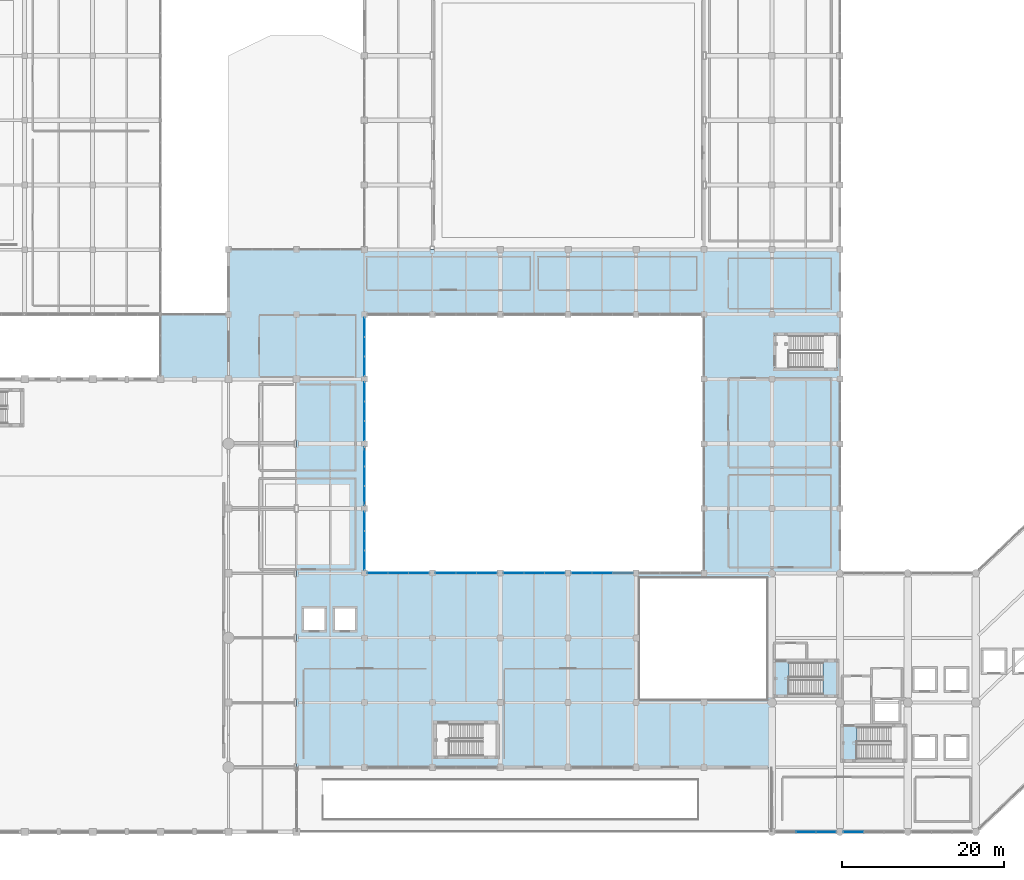
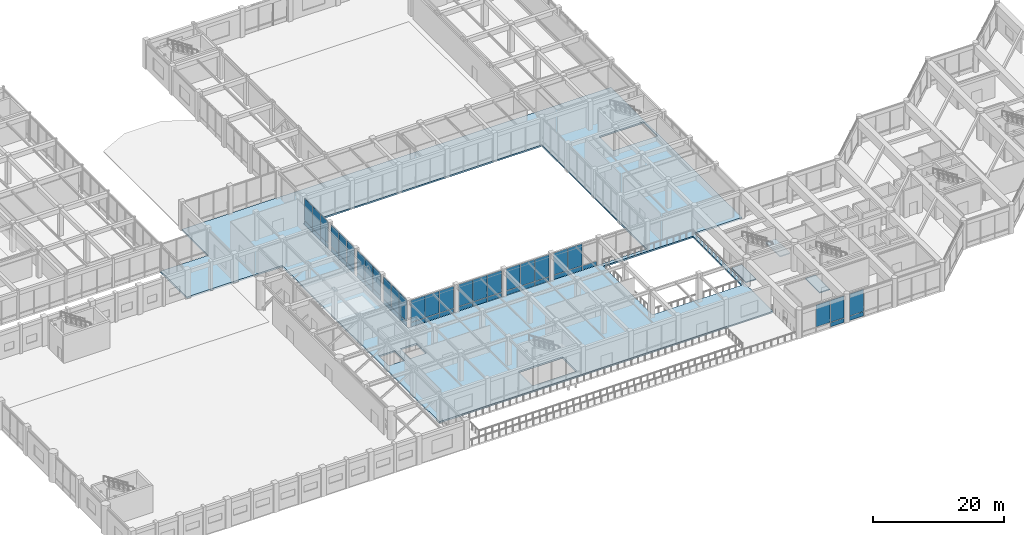
# One storey, part 49 of 79: 52 plates, 4 slabs, 11 elements without a shape of their own.
"""IFC4 building model written with IfcOpenShell, lengths in metres."""

import ifcopenshell
import ifcopenshell.guid

model = None  # the IFC model being written
_history = None  # IfcOwnerHistory: only IFC2X3 demands one
_inside = {}  # id of a spatial element -> (the spatial element, [elements in it])
_under = {}  # id of a project, library or spatial element -> (it, [spatial elements below it])
_declared = {}  # id of a project -> (the project, [libraries it declares])
_typed = {}  # id of a type object -> (the type object, [elements of that type])
_made_of = {}  # id of a material, layer set ... -> (it, [elements and type objects made of it])


def new_model(schema):
    """Start an empty IFC model of exactly this schema.

    Asked for "IFC4X3", IfcOpenShell would pick the latest addendum, in which some entities
    have other attributes; the version numbers below select the first issue.
    IFC2X3 requires an IfcOwnerHistory on every rooted entity: one is made here for all.
    """
    global model, _history
    if schema == "IFC4X3":
        model = ifcopenshell.file(schema_version=(4, 3, 0, 0))
    else:
        model = ifcopenshell.file(schema=schema)
    _inside.clear()
    _under.clear()
    _declared.clear()
    _typed.clear()
    _made_of.clear()
    _history = None
    if model.schema == "IFC2X3":
        org = make("IfcOrganization", Name="unknown")
        user = make(
            "IfcPersonAndOrganization",
            ThePerson=make("IfcPerson", FamilyName="unknown"),
            TheOrganization=org,
        )
        app = make(
            "IfcApplication",
            ApplicationDeveloper=org,
            Version="unknown",
            ApplicationFullName="unknown",
            ApplicationIdentifier="unknown",
        )
        _history = make(
            "IfcOwnerHistory",
            OwningUser=user,
            OwningApplication=app,
            ChangeAction="ADDED",
            CreationDate=0,
        )
    return model


def make(cls, **values):
    """One entity of the class cls with the attributes given. An attribute that is None is left unset."""
    return model.create_entity(
        cls, **{name: value for name, value in values.items() if value is not None}
    )


def rooted(cls, **values):
    """An entity with a GlobalId (a new one), such as an element, a storey or a relation."""
    return make(cls, GlobalId=ifcopenshell.guid.new(), OwnerHistory=_history, **values)


def si_unit(unit_type, name, prefix=None):
    """IfcSIUnit, for example si_unit("LENGTHUNIT", "METRE", prefix="MILLI")."""
    return make("IfcSIUnit", UnitType=unit_type, Prefix=prefix, Name=name)


def assignment(units):
    """IfcUnitAssignment: the units of a project."""
    return None if units is None else make("IfcUnitAssignment", Units=units)


def point(xyz):
    """IfcCartesianPoint."""
    return None if xyz is None else make("IfcCartesianPoint", Coordinates=xyz)


def direction(xyz):
    """IfcDirection."""
    return None if xyz is None else make("IfcDirection", DirectionRatios=xyz)


def frame(location, z_axis=None, x_axis=None):
    """IfcAxis2Placement3D, a coordinate frame: its origin and axes. An axis left out is left unset."""
    return make(
        "IfcAxis2Placement3D",
        Location=point(location),
        Axis=direction(z_axis),
        RefDirection=direction(x_axis),
    )


def frame_2d(location, x_axis=None):
    """IfcAxis2Placement2D, a coordinate frame in the plane: its origin and x axis."""
    return make(
        "IfcAxis2Placement2D", Location=point(location), RefDirection=direction(x_axis)
    )


def origin():
    """The frame at (0, 0, 0) with its axes left unset."""
    return frame((0.0, 0.0, 0.0))


def origin_2d():
    """The frame at (0, 0) in the plane with its x axis left unset."""
    return frame_2d((0.0, 0.0))


def place(relative_to, where):
    """IfcLocalPlacement: puts the frame where relative to a parent placement (None: the world)."""
    return make(
        "IfcLocalPlacement", PlacementRelTo=relative_to, RelativePlacement=where
    )


def context(
    kind, dimensions, precision=None, world=None, true_north=None, identifier=None
):
    """IfcGeometricRepresentationContext, for example the 3D "Model" context."""
    return make(
        "IfcGeometricRepresentationContext",
        ContextIdentifier=identifier,
        ContextType=kind,
        CoordinateSpaceDimension=dimensions,
        Precision=precision,
        WorldCoordinateSystem=world,
        TrueNorth=true_north,
    )


def subcontext(parent, identifier, kind, view, scale=None):
    """IfcGeometricRepresentationSubContext, for example "Body" below "Model"."""
    return make(
        "IfcGeometricRepresentationSubContext",
        ContextIdentifier=identifier,
        ContextType=kind,
        ParentContext=parent,
        TargetScale=scale,
        TargetView=view,
    )


def project(units=None, contexts=None):
    """IfcProject with its units and contexts."""
    return rooted(
        "IfcProject",
        Name="project",
        RepresentationContexts=contexts,
        UnitsInContext=assignment(units),
    )


def spatial(cls, under=None, at=None, **own):
    """A site, building, storey or space (cls), placed at a placement, below another one or the project."""
    s = rooted(cls, ObjectPlacement=at, **own)
    if under is not None:
        _under.setdefault(under.id(), (under, []))[1].append(s)
    return s


def polyline(points):
    """IfcPolyline through the points."""
    return make("IfcPolyline", Points=[point(p) for p in points])


def profile(cls, at=None, kind="AREA", **sizes):
    """A parametric profile (cls). Its sizes go by their IFC names, for example OverallWidth=200.0."""
    return make(cls, ProfileType=kind, Position=at, **sizes)


def rectangle(**sizes):
    """IfcRectangleProfileDef."""
    return profile("IfcRectangleProfileDef", **sizes)


def outline(outer, holes=None, kind="AREA"):
    """IfcArbitraryClosedProfileDef: a profile drawn as a closed curve; with holes, ...WithVoids."""
    if holes is None:
        return make("IfcArbitraryClosedProfileDef", ProfileType=kind, OuterCurve=outer)
    return make(
        "IfcArbitraryProfileDefWithVoids",
        ProfileType=kind,
        OuterCurve=outer,
        InnerCurves=holes,
    )


def extrude(swept, where, along, depth):
    """IfcExtrudedAreaSolid: the profile swept, set in the frame where, extruded along a direction by depth."""
    return make(
        "IfcExtrudedAreaSolid",
        SweptArea=swept,
        Position=where,
        ExtrudedDirection=direction(along),
        Depth=depth,
    )


def shape(context_of_items, identifier, shape_type, items):
    """IfcShapeRepresentation: the items that make up one representation, for example the "Body"."""
    return make(
        "IfcShapeRepresentation",
        ContextOfItems=context_of_items,
        RepresentationIdentifier=identifier,
        RepresentationType=shape_type,
        Items=items,
    )


def material(Name=None, Category=None):
    """IfcMaterial."""
    return make("IfcMaterial", Name=Name, Category=Category)


def layer(
    of_material, thickness, ventilated=None, Name=None, Category=None, Priority=None
):
    """IfcMaterialLayer: one layer of a wall or slab, of a material (None: an air gap)."""
    return make(
        "IfcMaterialLayer",
        Material=of_material,
        LayerThickness=thickness,
        IsVentilated=ventilated,
        Name=Name,
        Category=Category,
        Priority=Priority,
    )


def layer_set(layers, Name=None):
    """IfcMaterialLayerSet."""
    return make("IfcMaterialLayerSet", MaterialLayers=layers, LayerSetName=Name)


def made_of(thing, what):
    """Note that an element or type object is made of a material, layer set ...; save() writes the relation."""
    if what is not None:
        _made_of.setdefault(what.id(), (what, []))[1].append(thing)
    return thing


def type_object(cls, material=None, **own):
    """A type object (cls), such as IfcWallType, which elements share."""
    return made_of(rooted(cls, **own), material)


def element(
    cls,
    number,
    at=None,
    inside=None,
    cuts=None,
    type_object=None,
    material=None,
    context=None,
    identifier="Body",
    shape_type=None,
    held_by="IfcProductDefinitionShape",
    body=None,
    shapes=None,
    **own,
):
    """One element of the class cls, such as IfcWall. Its Tag is "e" and its number.

    at: its placement. inside: the storey or other place that contains it. cuts: it is an
    opening in that element (IfcRelVoidsElement). A single representation is given by context,
    identifier, shape_type and body (its items); several are given by shapes. held_by: the class
    of the entity that holds the representations. save() writes the other relations.
    """
    e = rooted(cls, Tag="e%d" % number, ObjectPlacement=at, **own)
    if body is not None:
        shapes = [shape(context, identifier, shape_type, body)]
    if shapes is not None:
        e.Representation = make(held_by, Representations=shapes)
    if inside is not None:
        _inside.setdefault(inside.id(), (inside, []))[1].append(e)
    if cuts is not None:
        rooted(
            "IfcRelVoidsElement", RelatingBuildingElement=cuts, RelatedOpeningElement=e
        )
    if type_object is not None:
        _typed.setdefault(type_object.id(), (type_object, []))[1].append(e)
    return made_of(e, material)


def aggregate(whole, parts):
    """IfcRelAggregates: a whole, such as a stair, and the parts it consists of."""
    return rooted("IfcRelAggregates", RelatingObject=whole, RelatedObjects=parts)


def save(model, path):
    """Write the relations noted so far, then the file.

    IfcRelAggregates (storeys below a building ...), IfcRelContainedInSpatialStructure (elements
    in a storey), IfcRelDefinesByType, IfcRelAssociatesMaterial and IfcRelDeclares: one each for
    every whole, place, type object, material and project.
    """
    for whole, parts in _under.values():
        aggregate(whole, parts)
    for where, things in _inside.values():
        rooted(
            "IfcRelContainedInSpatialStructure",
            RelatedElements=things,
            RelatingStructure=where,
        )
    for kind, things in _typed.values():
        rooted("IfcRelDefinesByType", RelatedObjects=things, RelatingType=kind)
    for what, things in _made_of.values():
        rooted("IfcRelAssociatesMaterial", RelatedObjects=things, RelatingMaterial=what)
    for by, libraries in _declared.values():
        rooted("IfcRelDeclares", RelatingContext=by, RelatedDefinitions=libraries)
    model.write(path)


model = new_model("IFC4")

# Units and contexts
model_context = context("Model", 3, precision=1e-05, world=origin(), true_north=direction((0.0, 1.0)))
body_context = subcontext(model_context, "Body", "Model", "MODEL_VIEW")
ifc_project = project(units=[si_unit("LENGTHUNIT", "METRE"), si_unit("AREAUNIT", "SQUARE_METRE"), si_unit("VOLUMEUNIT", "CUBIC_METRE"), si_unit("PLANEANGLEUNIT", "RADIAN"), si_unit("MASSUNIT", "GRAM", prefix="KILO")], contexts=[model_context])

# Site, building, storey
site_placement = place(None, origin())
site = spatial("IfcSite", under=ifc_project, at=site_placement, CompositionType="ELEMENT")
building_placement = place(site_placement, origin())
building = spatial("IfcBuilding", under=site, at=building_placement, Name="Naruveol Harbour Congress Hotel", CompositionType="ELEMENT")
storey_placement = place(building_placement, frame((0.0, 0.0, 6.0)))
storey = spatial("IfcBuildingStorey", under=building, at=storey_placement, Name="L01", CompositionType="ELEMENT", Elevation=6.0)

# Curtain wall, plates
ifc_material_1 = material(Name="Low-E Curtain Wall System", Category="glass")
ifc_layer_1 = layer(ifc_material_1, 0.179931640625)
ifc_layer_set_1 = layer_set([ifc_layer_1], Name="Low-E Curtain Wall System")
curtain_wall_type_1 = type_object("IfcCurtainWallType", Name="UNITISED CURTAIN WALL CW-CTS-35 7650X5100", PredefinedType="USERDEFINED", material=ifc_layer_set_1)
curtain_wall_1_placement = place(storey_placement, origin())
curtain_wall_1 = element("IfcCurtainWall", 1, at=curtain_wall_1_placement, inside=storey, type_object=curtain_wall_type_1, Name="Unitised curtain wall CW-CTS-35 L01", ObjectType="UNITISED GLAZING", PredefinedType="USERDEFINED")
ifc_material_2 = material(Name="Anodised Aluminium Spandrel", Category="aluminium")
ifc_layer_2 = layer(ifc_material_2, 0.054931640625)
ifc_layer_set_2 = layer_set([ifc_layer_2], Name="Anodised Aluminium Spandrel")
plate_type_1 = type_object("IfcPlateType", Name="INSULATED CERAMIC SPANDREL PANEL 55", PredefinedType="CURTAIN_PANEL", material=ifc_layer_set_2)
plate_1_placement = place(storey_placement, frame((68.85009765625, 32.010009765625, 0.0400390625), z_axis=(0.0, 0.0, 1.0), x_axis=(1.0, 0.0, 0.0)))
plate_1 = element("IfcPlate", 2, at=plate_1_placement, type_object=plate_type_1, Name="Curtain wall spandrel panel CW-L01-0079-PS0", PredefinedType="CURTAIN_PANEL", context=body_context, shape_type="SweptSolid", body=[
    extrude(rectangle(XDim=2.469970703125, YDim=0.054931640625, at=origin_2d()), origin(), (0.0, 0.0, 1.0), 0.77001953125),
])
plate_2_placement = place(storey_placement, frame((71.39990234375, 32.010009765625, 0.0400390625), z_axis=(0.0, 0.0, 1.0), x_axis=(1.0, 0.0, 0.0)))
plate_2 = element("IfcPlate", 3, at=plate_2_placement, type_object=plate_type_1, Name="Curtain wall spandrel panel CW-L01-0079-PS1", PredefinedType="CURTAIN_PANEL", context=body_context, shape_type="SweptSolid", body=[
    extrude(rectangle(XDim=2.469970703125, YDim=0.054931640625, at=origin_2d()), origin(), (0.0, 0.0, 1.0), 0.77001953125),
])
plate_3_placement = place(storey_placement, frame((73.949951171875, 32.010009765625, 0.0400390625), z_axis=(0.0, 0.0, 1.0), x_axis=(1.0, 0.0, 0.0)))
plate_3 = element("IfcPlate", 4, at=plate_3_placement, type_object=plate_type_1, Name="Curtain wall spandrel panel CW-L01-0079-PS2", PredefinedType="CURTAIN_PANEL", context=body_context, shape_type="SweptSolid", body=[
    extrude(rectangle(XDim=2.469970703125, YDim=0.054931640625, at=origin_2d()), origin(), (0.0, 0.0, 1.0), 0.77001953125),
])

curtain_wall_2_placement = place(storey_placement, origin())
curtain_wall_2 = element("IfcCurtainWall", 5, at=curtain_wall_2_placement, inside=storey, type_object=curtain_wall_type_1, Name="Unitised curtain wall CW-CTS-35 L01", ObjectType="UNITISED GLAZING", PredefinedType="USERDEFINED")
plate_4_placement = place(storey_placement, frame((77.25, 32.010009765625, 0.0400390625), z_axis=(0.0, 0.0, 1.0), x_axis=(1.0, 0.0, 0.0)))
plate_4 = element("IfcPlate", 6, at=plate_4_placement, type_object=plate_type_1, Name="Curtain wall spandrel panel CW-L01-0081-PS0", PredefinedType="CURTAIN_PANEL", context=body_context, shape_type="SweptSolid", body=[
    extrude(rectangle(XDim=2.469970703125, YDim=0.054931640625, at=origin_2d()), origin(), (0.0, 0.0, 1.0), 0.77001953125),
])
plate_5_placement = place(storey_placement, frame((79.800048828125, 32.010009765625, 0.0400390625), z_axis=(0.0, 0.0, 1.0), x_axis=(1.0, 0.0, 0.0)))
plate_5 = element("IfcPlate", 7, at=plate_5_placement, type_object=plate_type_1, Name="Curtain wall spandrel panel CW-L01-0081-PS1", PredefinedType="CURTAIN_PANEL", context=body_context, shape_type="SweptSolid", body=[
    extrude(rectangle(XDim=2.469970703125, YDim=0.054931640625, at=origin_2d()), origin(), (0.0, 0.0, 1.0), 0.77001953125),
])
plate_6_placement = place(storey_placement, frame((82.35009765625, 32.010009765625, 0.0400390625), z_axis=(0.0, 0.0, 1.0), x_axis=(1.0, 0.0, 0.0)))
plate_6 = element("IfcPlate", 8, at=plate_6_placement, type_object=plate_type_1, Name="Curtain wall spandrel panel CW-L01-0081-PS2", PredefinedType="CURTAIN_PANEL", context=body_context, shape_type="SweptSolid", body=[
    extrude(rectangle(XDim=2.469970703125, YDim=0.054931640625, at=origin_2d()), origin(), (0.0, 0.0, 1.0), 0.77001953125),
])

curtain_wall_3_placement = place(storey_placement, origin())
curtain_wall_3 = element("IfcCurtainWall", 9, at=curtain_wall_3_placement, inside=storey, type_object=curtain_wall_type_1, Name="Unitised curtain wall CW-CTS-35 L01", ObjectType="UNITISED GLAZING", PredefinedType="USERDEFINED")
plate_7_placement = place(storey_placement, frame((85.64990234375, 32.010009765625, 0.0400390625), z_axis=(0.0, 0.0, 1.0), x_axis=(1.0, 0.0, 0.0)))
plate_7 = element("IfcPlate", 10, at=plate_7_placement, type_object=plate_type_1, Name="Curtain wall spandrel panel CW-L01-0083-PS0", PredefinedType="CURTAIN_PANEL", context=body_context, shape_type="SweptSolid", body=[
    extrude(rectangle(XDim=2.469970703125, YDim=0.054931640625, at=origin_2d()), origin(), (0.0, 0.0, 1.0), 0.77001953125),
])
plate_8_placement = place(storey_placement, frame((88.199951171875, 32.010009765625, 0.0400390625), z_axis=(0.0, 0.0, 1.0), x_axis=(1.0, 0.0, 0.0)))
plate_8 = element("IfcPlate", 11, at=plate_8_placement, type_object=plate_type_1, Name="Curtain wall spandrel panel CW-L01-0083-PS1", PredefinedType="CURTAIN_PANEL", context=body_context, shape_type="SweptSolid", body=[
    extrude(rectangle(XDim=2.469970703125, YDim=0.054931640625, at=origin_2d()), origin(), (0.0, 0.0, 1.0), 0.77001953125),
])
plate_9_placement = place(storey_placement, frame((90.75, 32.010009765625, 0.0400390625), z_axis=(0.0, 0.0, 1.0), x_axis=(1.0, 0.0, 0.0)))
plate_9 = element("IfcPlate", 12, at=plate_9_placement, type_object=plate_type_1, Name="Curtain wall spandrel panel CW-L01-0083-PS2", PredefinedType="CURTAIN_PANEL", context=body_context, shape_type="SweptSolid", body=[
    extrude(rectangle(XDim=2.469970703125, YDim=0.054931640625, at=origin_2d()), origin(), (0.0, 0.0, 1.0), 0.77001953125),
])

curtain_wall_4_placement = place(storey_placement, origin())
curtain_wall_4 = element("IfcCurtainWall", 13, at=curtain_wall_4_placement, inside=storey, type_object=curtain_wall_type_1, Name="Unitised curtain wall CW-CTS-35 L01", ObjectType="UNITISED GLAZING", PredefinedType="USERDEFINED")
plate_10_placement = place(storey_placement, frame((94.050048828125, 32.010009765625, 0.0400390625), z_axis=(0.0, 0.0, 1.0), x_axis=(1.0, 0.0, 0.0)))
plate_10 = element("IfcPlate", 14, at=plate_10_placement, type_object=plate_type_1, Name="Curtain wall spandrel panel CW-L01-0085-PS0", PredefinedType="CURTAIN_PANEL", context=body_context, shape_type="SweptSolid", body=[
    extrude(rectangle(XDim=2.469970703125, YDim=0.054931640625, at=origin_2d()), origin(), (0.0, 0.0, 1.0), 0.77001953125),
])
plate_11_placement = place(storey_placement, frame((96.60009765625, 32.010009765625, 0.0400390625), z_axis=(0.0, 0.0, 1.0), x_axis=(1.0, 0.0, 0.0)))
plate_11 = element("IfcPlate", 15, at=plate_11_placement, type_object=plate_type_1, Name="Curtain wall spandrel panel CW-L01-0085-PS1", PredefinedType="CURTAIN_PANEL", context=body_context, shape_type="SweptSolid", body=[
    extrude(rectangle(XDim=2.469970703125, YDim=0.054931640625, at=origin_2d()), origin(), (0.0, 0.0, 1.0), 0.77001953125),
])
plate_12_placement = place(storey_placement, frame((99.14990234375, 32.010009765625, 0.0400390625), z_axis=(0.0, 0.0, 1.0), x_axis=(1.0, 0.0, 0.0)))
plate_12 = element("IfcPlate", 16, at=plate_12_placement, type_object=plate_type_1, Name="Curtain wall spandrel panel CW-L01-0085-PS2", PredefinedType="CURTAIN_PANEL", context=body_context, shape_type="SweptSolid", body=[
    extrude(rectangle(XDim=2.469970703125, YDim=0.054931640625, at=origin_2d()), origin(), (0.0, 0.0, 1.0), 0.77001953125),
])

ifc_material_3 = material(Name="Low-E Curtain Wall System", Category="glass")
ifc_layer_3 = layer(ifc_material_3, 0.179931640625)
ifc_layer_set_3 = layer_set([ifc_layer_3], Name="Low-E Curtain Wall System")
curtain_wall_type_2 = type_object("IfcCurtainWallType", Name="UNITISED CURTAIN WALL CW-CTW-36 7250X5100", PredefinedType="USERDEFINED", material=ifc_layer_set_3)
curtain_wall_5_placement = place(storey_placement, origin())
curtain_wall_5 = element("IfcCurtainWall", 17, at=curtain_wall_5_placement, inside=storey, type_object=curtain_wall_type_2, Name="Unitised curtain wall CW-CTW-36 L01", ObjectType="UNITISED GLAZING", PredefinedType="USERDEFINED")
plate_13_placement = place(storey_placement, frame((67.18994140625, 33.583251953125, 0.0400390625), z_axis=(0.0, 0.0, 1.0), x_axis=(0.0, 1.0, 0.0)))
plate_13 = element("IfcPlate", 18, at=plate_13_placement, type_object=plate_type_1, Name="Curtain wall spandrel panel CW-L01-0088-PS0", PredefinedType="CURTAIN_PANEL", context=body_context, shape_type="SweptSolid", body=[
    extrude(rectangle(XDim=2.3369140625, YDim=0.054931640625, at=origin_2d()), origin(), (0.0, 0.0, 1.0), 0.77001953125),
])
plate_14_placement = place(storey_placement, frame((67.18994140625, 36.0, 0.0400390625), z_axis=(0.0, 0.0, 1.0), x_axis=(0.0, 1.0, 0.0)))
plate_14 = element("IfcPlate", 19, at=plate_14_placement, type_object=plate_type_1, Name="Curtain wall spandrel panel CW-L01-0088-PS1", PredefinedType="CURTAIN_PANEL", context=body_context, shape_type="SweptSolid", body=[
    extrude(rectangle(XDim=2.3369140625, YDim=0.054931640625, at=origin_2d()), origin(), (0.0, 0.0, 1.0), 0.77001953125),
])
plate_15_placement = place(storey_placement, frame((67.18994140625, 38.416748046875, 0.0400390625), z_axis=(0.0, 0.0, 1.0), x_axis=(0.0, 1.0, 0.0)))
plate_15 = element("IfcPlate", 20, at=plate_15_placement, type_object=plate_type_1, Name="Curtain wall spandrel panel CW-L01-0088-PS2", PredefinedType="CURTAIN_PANEL", context=body_context, shape_type="SweptSolid", body=[
    extrude(rectangle(XDim=2.3369140625, YDim=0.054931640625, at=origin_2d()), origin(), (0.0, 0.0, 1.0), 0.77001953125),
])

curtain_wall_6_placement = place(storey_placement, origin())
curtain_wall_6 = element("IfcCurtainWall", 21, at=curtain_wall_6_placement, inside=storey, type_object=curtain_wall_type_2, Name="Unitised curtain wall CW-CTW-36 L01", ObjectType="UNITISED GLAZING", PredefinedType="USERDEFINED")
plate_16_placement = place(storey_placement, frame((67.18994140625, 41.583251953125, 0.0400390625), z_axis=(0.0, 0.0, 1.0), x_axis=(0.0, 1.0, 0.0)))
plate_16 = element("IfcPlate", 22, at=plate_16_placement, type_object=plate_type_1, Name="Curtain wall spandrel panel CW-L01-0090-PS0", PredefinedType="CURTAIN_PANEL", context=body_context, shape_type="SweptSolid", body=[
    extrude(rectangle(XDim=2.3369140625, YDim=0.054931640625, at=origin_2d()), origin(), (0.0, 0.0, 1.0), 0.77001953125),
])
plate_17_placement = place(storey_placement, frame((67.18994140625, 44.0, 0.0400390625), z_axis=(0.0, 0.0, 1.0), x_axis=(0.0, 1.0, 0.0)))
plate_17 = element("IfcPlate", 23, at=plate_17_placement, type_object=plate_type_1, Name="Curtain wall spandrel panel CW-L01-0090-PS1", PredefinedType="CURTAIN_PANEL", context=body_context, shape_type="SweptSolid", body=[
    extrude(rectangle(XDim=2.3369140625, YDim=0.054931640625, at=origin_2d()), origin(), (0.0, 0.0, 1.0), 0.77001953125),
])
plate_18_placement = place(storey_placement, frame((67.18994140625, 46.416748046875, 0.0400390625), z_axis=(0.0, 0.0, 1.0), x_axis=(0.0, 1.0, 0.0)))
plate_18 = element("IfcPlate", 24, at=plate_18_placement, type_object=plate_type_1, Name="Curtain wall spandrel panel CW-L01-0090-PS2", PredefinedType="CURTAIN_PANEL", context=body_context, shape_type="SweptSolid", body=[
    extrude(rectangle(XDim=2.3369140625, YDim=0.054931640625, at=origin_2d()), origin(), (0.0, 0.0, 1.0), 0.77001953125),
])

curtain_wall_7_placement = place(storey_placement, origin())
curtain_wall_7 = element("IfcCurtainWall", 25, at=curtain_wall_7_placement, inside=storey, type_object=curtain_wall_type_2, Name="Unitised curtain wall CW-CTW-36 L01", ObjectType="UNITISED GLAZING", PredefinedType="USERDEFINED")
plate_19_placement = place(storey_placement, frame((67.18994140625, 49.583251953125, 0.0400390625), z_axis=(0.0, 0.0, 1.0), x_axis=(0.0, 1.0, 0.0)))
plate_19 = element("IfcPlate", 26, at=plate_19_placement, type_object=plate_type_1, Name="Curtain wall spandrel panel CW-L01-0092-PS0", PredefinedType="CURTAIN_PANEL", context=body_context, shape_type="SweptSolid", body=[
    extrude(rectangle(XDim=2.3369140625, YDim=0.054931640625, at=origin_2d()), origin(), (0.0, 0.0, 1.0), 0.77001953125),
])
plate_20_placement = place(storey_placement, frame((67.18994140625, 52.0, 0.0400390625), z_axis=(0.0, 0.0, 1.0), x_axis=(0.0, 1.0, 0.0)))
plate_20 = element("IfcPlate", 27, at=plate_20_placement, type_object=plate_type_1, Name="Curtain wall spandrel panel CW-L01-0092-PS1", PredefinedType="CURTAIN_PANEL", context=body_context, shape_type="SweptSolid", body=[
    extrude(rectangle(XDim=2.3369140625, YDim=0.054931640625, at=origin_2d()), origin(), (0.0, 0.0, 1.0), 0.77001953125),
])
plate_21_placement = place(storey_placement, frame((67.18994140625, 54.416748046875, 0.0400390625), z_axis=(0.0, 0.0, 1.0), x_axis=(0.0, 1.0, 0.0)))
plate_21 = element("IfcPlate", 28, at=plate_21_placement, type_object=plate_type_1, Name="Curtain wall spandrel panel CW-L01-0092-PS2", PredefinedType="CURTAIN_PANEL", context=body_context, shape_type="SweptSolid", body=[
    extrude(rectangle(XDim=2.3369140625, YDim=0.054931640625, at=origin_2d()), origin(), (0.0, 0.0, 1.0), 0.77001953125),
])

curtain_wall_8_placement = place(storey_placement, origin())
curtain_wall_8 = element("IfcCurtainWall", 29, at=curtain_wall_8_placement, inside=storey, type_object=curtain_wall_type_2, Name="Unitised curtain wall CW-CTW-36 L01", ObjectType="UNITISED GLAZING", PredefinedType="USERDEFINED")
plate_22_placement = place(storey_placement, frame((67.18994140625, 57.583251953125, 0.0400390625), z_axis=(0.0, 0.0, 1.0), x_axis=(0.0, 1.0, 0.0)))
plate_22 = element("IfcPlate", 30, at=plate_22_placement, type_object=plate_type_1, Name="Curtain wall spandrel panel CW-L01-0094-PS0", PredefinedType="CURTAIN_PANEL", context=body_context, shape_type="SweptSolid", body=[
    extrude(rectangle(XDim=2.3369140625, YDim=0.054931640625, at=origin_2d()), origin(), (0.0, 0.0, 1.0), 0.77001953125),
])
plate_23_placement = place(storey_placement, frame((67.18994140625, 60.0, 0.0400390625), z_axis=(0.0, 0.0, 1.0), x_axis=(0.0, 1.0, 0.0)))
plate_23 = element("IfcPlate", 31, at=plate_23_placement, type_object=plate_type_1, Name="Curtain wall spandrel panel CW-L01-0094-PS1", PredefinedType="CURTAIN_PANEL", context=body_context, shape_type="SweptSolid", body=[
    extrude(rectangle(XDim=2.3369140625, YDim=0.054931640625, at=origin_2d()), origin(), (0.0, 0.0, 1.0), 0.77001953125),
])
plate_24_placement = place(storey_placement, frame((67.18994140625, 62.416748046875, 0.0400390625), z_axis=(0.0, 0.0, 1.0), x_axis=(0.0, 1.0, 0.0)))
plate_24 = element("IfcPlate", 32, at=plate_24_placement, type_object=plate_type_1, Name="Curtain wall spandrel panel CW-L01-0094-PS2", PredefinedType="CURTAIN_PANEL", context=body_context, shape_type="SweptSolid", body=[
    extrude(rectangle(XDim=2.3369140625, YDim=0.054931640625, at=origin_2d()), origin(), (0.0, 0.0, 1.0), 0.77001953125),
])

# Curtain wall, plate
ifc_material_4 = material(Name="Low-E Curtain Wall System", Category="glass")
ifc_layer_4 = layer(ifc_material_4, 0.179931640625)
ifc_layer_set_4 = layer_set([ifc_layer_4], Name="Low-E Curtain Wall System")
curtain_wall_type_3 = type_object("IfcCurtainWallType", Name="UNITISED CURTAIN WALL CW-V5S-50 7500X5120", PredefinedType="USERDEFINED", material=ifc_layer_set_4)
curtain_wall_9_placement = place(storey_placement, origin())
curtain_wall_9 = element("IfcCurtainWall", 33, at=curtain_wall_9_placement, inside=storey, type_object=curtain_wall_type_3, Name="Unitised curtain wall CW-V5S-50 L01", ObjectType="UNITISED GLAZING", PredefinedType="USERDEFINED")
plate_25_placement = place(storey_placement, frame((124.300048828125, -0.010009765625, 0.0400390625), z_axis=(0.0, 0.0, 1.0), x_axis=(-1.0, 0.0, 0.0)))
plate_25 = element("IfcPlate", 34, at=plate_25_placement, type_object=plate_type_1, Name="Curtain wall spandrel panel CW-L01-0136-PS0", PredefinedType="CURTAIN_PANEL", context=body_context, shape_type="SweptSolid", body=[
    extrude(rectangle(XDim=2.419921875, YDim=0.054931640625, at=origin_2d()), origin(), (0.0, 0.0, 1.0), 0.77001953125),
])

curtain_wall_10_placement = place(storey_placement, origin())
curtain_wall_10 = element("IfcCurtainWall", 35, at=curtain_wall_10_placement, inside=storey, type_object=curtain_wall_type_3, Name="Unitised curtain wall CW-V5S-50 L01", ObjectType="UNITISED GLAZING", PredefinedType="USERDEFINED")
plate_26_placement = place(storey_placement, frame((127.699951171875, -0.010009765625, 0.0400390625), z_axis=(0.0, 0.0, 1.0), x_axis=(-1.0, 0.0, 0.0)))
plate_26 = element("IfcPlate", 36, at=plate_26_placement, type_object=plate_type_1, Name="Curtain wall spandrel panel CW-L01-0137-PS2", PredefinedType="CURTAIN_PANEL", context=body_context, shape_type="SweptSolid", body=[
    extrude(rectangle(XDim=2.419921875, YDim=0.054931640625, at=origin_2d()), origin(), (0.0, 0.0, 1.0), 0.77001953125),
])

# Plate
ifc_material_5 = material(Name="Low-E Insulated Glass", Category="glass")
ifc_layer_5 = layer(ifc_material_5, 0.0419921875)
ifc_layer_set_5 = layer_set([ifc_layer_5], Name="Low-E Insulated Glass")
plate_type_2 = type_object("IfcPlateType", Name="LOW-E TRIPLE GLAZED CURTAIN PANEL 42", PredefinedType="CURTAIN_PANEL", material=ifc_layer_set_5)
plate_27_placement = place(storey_placement, frame((68.85009765625, 32.010009765625, 0.89013671875), z_axis=(0.0, 0.0, 1.0), x_axis=(1.0, 0.0, 0.0)))
plate_27 = element("IfcPlate", 37, at=plate_27_placement, type_object=plate_type_2, Name="Curtain wall vision panel CW-L01-0079-PG0", PredefinedType="CURTAIN_PANEL", context=body_context, shape_type="SweptSolid", body=[
    extrude(rectangle(XDim=2.469970703125, YDim=0.0419921875, at=origin_2d()), origin(), (0.0, 0.0, 1.0), 4.090087890625),
])

plate_28_placement = place(storey_placement, frame((71.39990234375, 32.010009765625, 0.89013671875), z_axis=(0.0, 0.0, 1.0), x_axis=(1.0, 0.0, 0.0)))
plate_28 = element("IfcPlate", 38, at=plate_28_placement, type_object=plate_type_2, Name="Curtain wall vision panel CW-L01-0079-PG1", PredefinedType="CURTAIN_PANEL", context=body_context, shape_type="SweptSolid", body=[
    extrude(rectangle(XDim=2.469970703125, YDim=0.0419921875, at=origin_2d()), origin(), (0.0, 0.0, 1.0), 4.090087890625),
])

plate_29_placement = place(storey_placement, frame((73.949951171875, 32.010009765625, 0.89013671875), z_axis=(0.0, 0.0, 1.0), x_axis=(1.0, 0.0, 0.0)))
plate_29 = element("IfcPlate", 39, at=plate_29_placement, type_object=plate_type_2, Name="Curtain wall vision panel CW-L01-0079-PG2", PredefinedType="CURTAIN_PANEL", context=body_context, shape_type="SweptSolid", body=[
    extrude(rectangle(XDim=2.469970703125, YDim=0.0419921875, at=origin_2d()), origin(), (0.0, 0.0, 1.0), 4.090087890625),
])

aggregate(curtain_wall_1, [plate_1, plate_27, plate_2, plate_28, plate_3, plate_29])

plate_30_placement = place(storey_placement, frame((77.25, 32.010009765625, 0.89013671875), z_axis=(0.0, 0.0, 1.0), x_axis=(1.0, 0.0, 0.0)))
plate_30 = element("IfcPlate", 40, at=plate_30_placement, type_object=plate_type_2, Name="Curtain wall vision panel CW-L01-0081-PG0", PredefinedType="CURTAIN_PANEL", context=body_context, shape_type="SweptSolid", body=[
    extrude(rectangle(XDim=2.469970703125, YDim=0.0419921875, at=origin_2d()), origin(), (0.0, 0.0, 1.0), 4.090087890625),
])

plate_31_placement = place(storey_placement, frame((79.800048828125, 32.010009765625, 0.89013671875), z_axis=(0.0, 0.0, 1.0), x_axis=(1.0, 0.0, 0.0)))
plate_31 = element("IfcPlate", 41, at=plate_31_placement, type_object=plate_type_2, Name="Curtain wall vision panel CW-L01-0081-PG1", PredefinedType="CURTAIN_PANEL", context=body_context, shape_type="SweptSolid", body=[
    extrude(rectangle(XDim=2.469970703125, YDim=0.0419921875, at=origin_2d()), origin(), (0.0, 0.0, 1.0), 4.090087890625),
])

plate_32_placement = place(storey_placement, frame((82.35009765625, 32.010009765625, 0.89013671875), z_axis=(0.0, 0.0, 1.0), x_axis=(1.0, 0.0, 0.0)))
plate_32 = element("IfcPlate", 42, at=plate_32_placement, type_object=plate_type_2, Name="Curtain wall vision panel CW-L01-0081-PG2", PredefinedType="CURTAIN_PANEL", context=body_context, shape_type="SweptSolid", body=[
    extrude(rectangle(XDim=2.469970703125, YDim=0.0419921875, at=origin_2d()), origin(), (0.0, 0.0, 1.0), 4.090087890625),
])

aggregate(curtain_wall_2, [plate_4, plate_30, plate_5, plate_31, plate_6, plate_32])

plate_33_placement = place(storey_placement, frame((85.64990234375, 32.010009765625, 0.89013671875), z_axis=(0.0, 0.0, 1.0), x_axis=(1.0, 0.0, 0.0)))
plate_33 = element("IfcPlate", 43, at=plate_33_placement, type_object=plate_type_2, Name="Curtain wall vision panel CW-L01-0083-PG0", PredefinedType="CURTAIN_PANEL", context=body_context, shape_type="SweptSolid", body=[
    extrude(rectangle(XDim=2.469970703125, YDim=0.0419921875, at=origin_2d()), origin(), (0.0, 0.0, 1.0), 4.090087890625),
])

plate_34_placement = place(storey_placement, frame((88.199951171875, 32.010009765625, 0.89013671875), z_axis=(0.0, 0.0, 1.0), x_axis=(1.0, 0.0, 0.0)))
plate_34 = element("IfcPlate", 44, at=plate_34_placement, type_object=plate_type_2, Name="Curtain wall vision panel CW-L01-0083-PG1", PredefinedType="CURTAIN_PANEL", context=body_context, shape_type="SweptSolid", body=[
    extrude(rectangle(XDim=2.469970703125, YDim=0.0419921875, at=origin_2d()), origin(), (0.0, 0.0, 1.0), 4.090087890625),
])

plate_35_placement = place(storey_placement, frame((90.75, 32.010009765625, 0.89013671875), z_axis=(0.0, 0.0, 1.0), x_axis=(1.0, 0.0, 0.0)))
plate_35 = element("IfcPlate", 45, at=plate_35_placement, type_object=plate_type_2, Name="Curtain wall vision panel CW-L01-0083-PG2", PredefinedType="CURTAIN_PANEL", context=body_context, shape_type="SweptSolid", body=[
    extrude(rectangle(XDim=2.469970703125, YDim=0.0419921875, at=origin_2d()), origin(), (0.0, 0.0, 1.0), 4.090087890625),
])

aggregate(curtain_wall_3, [plate_7, plate_33, plate_8, plate_34, plate_9, plate_35])

plate_36_placement = place(storey_placement, frame((94.050048828125, 32.010009765625, 0.89013671875), z_axis=(0.0, 0.0, 1.0), x_axis=(1.0, 0.0, 0.0)))
plate_36 = element("IfcPlate", 46, at=plate_36_placement, type_object=plate_type_2, Name="Curtain wall vision panel CW-L01-0085-PG0", PredefinedType="CURTAIN_PANEL", context=body_context, shape_type="SweptSolid", body=[
    extrude(rectangle(XDim=2.469970703125, YDim=0.0419921875, at=origin_2d()), origin(), (0.0, 0.0, 1.0), 4.090087890625),
])

plate_37_placement = place(storey_placement, frame((96.60009765625, 32.010009765625, 0.89013671875), z_axis=(0.0, 0.0, 1.0), x_axis=(1.0, 0.0, 0.0)))
plate_37 = element("IfcPlate", 47, at=plate_37_placement, type_object=plate_type_2, Name="Curtain wall vision panel CW-L01-0085-PG1", PredefinedType="CURTAIN_PANEL", context=body_context, shape_type="SweptSolid", body=[
    extrude(rectangle(XDim=2.469970703125, YDim=0.0419921875, at=origin_2d()), origin(), (0.0, 0.0, 1.0), 4.090087890625),
])

aggregate(curtain_wall_4, [plate_10, plate_36, plate_11, plate_37, plate_12])

plate_38_placement = place(storey_placement, frame((67.18994140625, 33.583251953125, 0.89013671875), z_axis=(0.0, 0.0, 1.0), x_axis=(0.0, 1.0, 0.0)))
plate_38 = element("IfcPlate", 48, at=plate_38_placement, type_object=plate_type_2, Name="Curtain wall vision panel CW-L01-0088-PG0", PredefinedType="CURTAIN_PANEL", context=body_context, shape_type="SweptSolid", body=[
    extrude(rectangle(XDim=2.3369140625, YDim=0.0419921875, at=origin_2d()), origin(), (0.0, 0.0, 1.0), 4.090087890625),
])

plate_39_placement = place(storey_placement, frame((67.18994140625, 36.0, 0.89013671875), z_axis=(0.0, 0.0, 1.0), x_axis=(0.0, 1.0, 0.0)))
plate_39 = element("IfcPlate", 49, at=plate_39_placement, type_object=plate_type_2, Name="Curtain wall vision panel CW-L01-0088-PG1", PredefinedType="CURTAIN_PANEL", context=body_context, shape_type="SweptSolid", body=[
    extrude(rectangle(XDim=2.3369140625, YDim=0.0419921875, at=origin_2d()), origin(), (0.0, 0.0, 1.0), 4.090087890625),
])

plate_40_placement = place(storey_placement, frame((67.18994140625, 38.416748046875, 0.89013671875), z_axis=(0.0, 0.0, 1.0), x_axis=(0.0, 1.0, 0.0)))
plate_40 = element("IfcPlate", 50, at=plate_40_placement, type_object=plate_type_2, Name="Curtain wall vision panel CW-L01-0088-PG2", PredefinedType="CURTAIN_PANEL", context=body_context, shape_type="SweptSolid", body=[
    extrude(rectangle(XDim=2.3369140625, YDim=0.0419921875, at=origin_2d()), origin(), (0.0, 0.0, 1.0), 4.090087890625),
])

aggregate(curtain_wall_5, [plate_13, plate_38, plate_14, plate_39, plate_15, plate_40])

plate_41_placement = place(storey_placement, frame((67.18994140625, 41.583251953125, 0.89013671875), z_axis=(0.0, 0.0, 1.0), x_axis=(0.0, 1.0, 0.0)))
plate_41 = element("IfcPlate", 51, at=plate_41_placement, type_object=plate_type_2, Name="Curtain wall vision panel CW-L01-0090-PG0", PredefinedType="CURTAIN_PANEL", context=body_context, shape_type="SweptSolid", body=[
    extrude(rectangle(XDim=2.3369140625, YDim=0.0419921875, at=origin_2d()), origin(), (0.0, 0.0, 1.0), 4.090087890625),
])

plate_42_placement = place(storey_placement, frame((67.18994140625, 44.0, 0.89013671875), z_axis=(0.0, 0.0, 1.0), x_axis=(0.0, 1.0, 0.0)))
plate_42 = element("IfcPlate", 52, at=plate_42_placement, type_object=plate_type_2, Name="Curtain wall vision panel CW-L01-0090-PG1", PredefinedType="CURTAIN_PANEL", context=body_context, shape_type="SweptSolid", body=[
    extrude(rectangle(XDim=2.3369140625, YDim=0.0419921875, at=origin_2d()), origin(), (0.0, 0.0, 1.0), 4.090087890625),
])

plate_43_placement = place(storey_placement, frame((67.18994140625, 46.416748046875, 0.89013671875), z_axis=(0.0, 0.0, 1.0), x_axis=(0.0, 1.0, 0.0)))
plate_43 = element("IfcPlate", 53, at=plate_43_placement, type_object=plate_type_2, Name="Curtain wall vision panel CW-L01-0090-PG2", PredefinedType="CURTAIN_PANEL", context=body_context, shape_type="SweptSolid", body=[
    extrude(rectangle(XDim=2.3369140625, YDim=0.0419921875, at=origin_2d()), origin(), (0.0, 0.0, 1.0), 4.090087890625),
])

aggregate(curtain_wall_6, [plate_16, plate_41, plate_17, plate_42, plate_18, plate_43])

plate_44_placement = place(storey_placement, frame((67.18994140625, 49.583251953125, 0.89013671875), z_axis=(0.0, 0.0, 1.0), x_axis=(0.0, 1.0, 0.0)))
plate_44 = element("IfcPlate", 54, at=plate_44_placement, type_object=plate_type_2, Name="Curtain wall vision panel CW-L01-0092-PG0", PredefinedType="CURTAIN_PANEL", context=body_context, shape_type="SweptSolid", body=[
    extrude(rectangle(XDim=2.3369140625, YDim=0.0419921875, at=origin_2d()), origin(), (0.0, 0.0, 1.0), 4.090087890625),
])

plate_45_placement = place(storey_placement, frame((67.18994140625, 52.0, 0.89013671875), z_axis=(0.0, 0.0, 1.0), x_axis=(0.0, 1.0, 0.0)))
plate_45 = element("IfcPlate", 55, at=plate_45_placement, type_object=plate_type_2, Name="Curtain wall vision panel CW-L01-0092-PG1", PredefinedType="CURTAIN_PANEL", context=body_context, shape_type="SweptSolid", body=[
    extrude(rectangle(XDim=2.3369140625, YDim=0.0419921875, at=origin_2d()), origin(), (0.0, 0.0, 1.0), 4.090087890625),
])

plate_46_placement = place(storey_placement, frame((67.18994140625, 54.416748046875, 0.89013671875), z_axis=(0.0, 0.0, 1.0), x_axis=(0.0, 1.0, 0.0)))
plate_46 = element("IfcPlate", 56, at=plate_46_placement, type_object=plate_type_2, Name="Curtain wall vision panel CW-L01-0092-PG2", PredefinedType="CURTAIN_PANEL", context=body_context, shape_type="SweptSolid", body=[
    extrude(rectangle(XDim=2.3369140625, YDim=0.0419921875, at=origin_2d()), origin(), (0.0, 0.0, 1.0), 4.090087890625),
])

aggregate(curtain_wall_7, [plate_19, plate_44, plate_20, plate_45, plate_21, plate_46])

plate_47_placement = place(storey_placement, frame((67.18994140625, 57.583251953125, 0.89013671875), z_axis=(0.0, 0.0, 1.0), x_axis=(0.0, 1.0, 0.0)))
plate_47 = element("IfcPlate", 57, at=plate_47_placement, type_object=plate_type_2, Name="Curtain wall vision panel CW-L01-0094-PG0", PredefinedType="CURTAIN_PANEL", context=body_context, shape_type="SweptSolid", body=[
    extrude(rectangle(XDim=2.3369140625, YDim=0.0419921875, at=origin_2d()), origin(), (0.0, 0.0, 1.0), 4.090087890625),
])

plate_48_placement = place(storey_placement, frame((67.18994140625, 60.0, 0.89013671875), z_axis=(0.0, 0.0, 1.0), x_axis=(0.0, 1.0, 0.0)))
plate_48 = element("IfcPlate", 58, at=plate_48_placement, type_object=plate_type_2, Name="Curtain wall vision panel CW-L01-0094-PG1", PredefinedType="CURTAIN_PANEL", context=body_context, shape_type="SweptSolid", body=[
    extrude(rectangle(XDim=2.3369140625, YDim=0.0419921875, at=origin_2d()), origin(), (0.0, 0.0, 1.0), 4.090087890625),
])

plate_49_placement = place(storey_placement, frame((67.18994140625, 62.416748046875, 0.89013671875), z_axis=(0.0, 0.0, 1.0), x_axis=(0.0, 1.0, 0.0)))
plate_49 = element("IfcPlate", 59, at=plate_49_placement, type_object=plate_type_2, Name="Curtain wall vision panel CW-L01-0094-PG2", PredefinedType="CURTAIN_PANEL", context=body_context, shape_type="SweptSolid", body=[
    extrude(rectangle(XDim=2.3369140625, YDim=0.0419921875, at=origin_2d()), origin(), (0.0, 0.0, 1.0), 4.090087890625),
])

aggregate(curtain_wall_8, [plate_22, plate_47, plate_23, plate_48, plate_24, plate_49])

plate_50_placement = place(storey_placement, frame((124.300048828125, -0.010009765625, 0.89013671875), z_axis=(0.0, 0.0, 1.0), x_axis=(-1.0, 0.0, 0.0)))
plate_50 = element("IfcPlate", 60, at=plate_50_placement, type_object=plate_type_2, Name="Curtain wall vision panel CW-L01-0136-PG0", PredefinedType="CURTAIN_PANEL", context=body_context, shape_type="SweptSolid", body=[
    extrude(rectangle(XDim=2.419921875, YDim=0.0419921875, at=origin_2d()), origin(), (0.0, 0.0, 1.0), 4.110107421875),
])

plate_51_placement = place(storey_placement, frame((121.800048828125, -0.010009765625, 0.89013671875), z_axis=(0.0, 0.0, 1.0), x_axis=(-1.0, 0.0, 0.0)))
plate_51 = element("IfcPlate", 61, at=plate_51_placement, type_object=plate_type_2, Name="Curtain wall vision panel CW-L01-0136-PG1", PredefinedType="CURTAIN_PANEL", context=body_context, shape_type="SweptSolid", body=[
    extrude(rectangle(XDim=2.419921875, YDim=0.0419921875, at=origin_2d()), origin(), (0.0, 0.0, 1.0), 4.110107421875),
])

aggregate(curtain_wall_9, [plate_25, plate_50, plate_51])

plate_52_placement = place(storey_placement, frame((127.699951171875, -0.010009765625, 0.89013671875), z_axis=(0.0, 0.0, 1.0), x_axis=(-1.0, 0.0, 0.0)))
plate_52 = element("IfcPlate", 62, at=plate_52_placement, type_object=plate_type_2, Name="Curtain wall vision panel CW-L01-0137-PG2", PredefinedType="CURTAIN_PANEL", context=body_context, shape_type="SweptSolid", body=[
    extrude(rectangle(XDim=2.419921875, YDim=0.0419921875, at=origin_2d()), origin(), (0.0, 0.0, 1.0), 4.110107421875),
])

aggregate(curtain_wall_10, [plate_26, plate_52])

# Slabs
ifc_material_6 = material(Name="Concrete C40/50", Category="concrete")
ifc_layer_6 = layer(ifc_material_6, 0.300048828125)
ifc_layer_set_6 = layer_set([ifc_layer_6], Name="Concrete C40/50")
slab_type_1 = type_object("IfcSlabType", Name="RC AUDITORIUM AND HALL SLAB 300", PredefinedType="FLOOR", material=ifc_layer_set_6)
slab_1_placement = place(storey_placement, frame((0.0, 0.0, -0.300048828125)))
element("IfcSlab", 63, at=slab_1_placement, inside=storey, type_object=slab_type_1, Name="Level L01 Courtyard meeting & atrium dining slab", PredefinedType="FLOOR", context=body_context, shape_type="SweptSolid", body=[
    extrude(outline(polyline([(58.800048828125, 8.0), (117.60009765625, 8.0), (117.60009765625, 32.0), (126.0, 32.0), (126.0, 72.0), (50.39990234375, 72.0), (50.39990234375, 64.0), (42.0, 64.0), (42.0, 56.0), (58.800048828125, 56.0), (58.800048828125, 8.0)]), holes=[polyline([(67.199951171875, 32.0), (109.199951171875, 32.0), (109.199951171875, 64.0), (67.199951171875, 64.0), (67.199951171875, 32.0)]), polyline([(101.199951171875, 16.39990234375), (117.0, 16.39990234375), (117.0, 31.39990234375), (101.199951171875, 31.39990234375), (101.199951171875, 16.39990234375)]), polyline([(117.89990234375, 57.199951171875), (125.699951171875, 57.199951171875), (125.699951171875, 61.56005859375), (117.89990234375, 61.56005859375), (117.89990234375, 57.199951171875)]), polyline([(75.89990234375, 9.199951171875), (83.699951171875, 9.199951171875), (83.699951171875, 13.56005859375), (75.89990234375, 13.56005859375), (75.89990234375, 9.199951171875)]), polyline([(59.60009765625, 24.800048828125), (62.39990234375, 24.800048828125), (62.39990234375, 27.800048828125), (59.60009765625, 27.800048828125), (59.60009765625, 24.800048828125)]), polyline([(63.39990234375, 24.800048828125), (66.199951171875, 24.800048828125), (66.199951171875, 27.800048828125), (63.39990234375, 27.800048828125), (63.39990234375, 24.800048828125)])]), origin(), (0.0, 0.0, 1.0), 0.300048828125),
])
ifc_material_7 = material(Name="Concrete C40/50", Category="concrete")
ifc_layer_7 = layer(ifc_material_7, 0.179931640625)
ifc_layer_set_7 = layer_set([ifc_layer_7], Name="Concrete C40/50")
slab_type_2 = type_object("IfcSlabType", Name="RC STAIR HALF LANDING SLAB 180", PredefinedType="LANDING", material=ifc_layer_set_7)
slab_2_placement = place(storey_placement, frame((0.0, 0.0, -0.179931640625)))
element("IfcSlab", 64, at=slab_2_placement, inside=storey, type_object=slab_type_2, Name="Stair ST1 L01 floor landing", PredefinedType="LANDING", context=body_context, shape_type="SweptSolid", body=[
    extrude(outline(polyline([(126.300048828125, 8.800048828125), (128.10009765625, 8.800048828125), (128.10009765625, 13.159912109375), (126.300048828125, 13.159912109375), (126.300048828125, 8.800048828125)])), origin(), (0.0, 0.0, 1.0), 0.179931640625),
])
slab_3_placement = place(storey_placement, frame((0.0, 0.0, -0.179931640625)))
element("IfcSlab", 65, at=slab_3_placement, inside=storey, type_object=slab_type_2, Name="Stair ST3 L01 floor landing", PredefinedType="LANDING", context=body_context, shape_type="SweptSolid", body=[
    extrude(outline(polyline([(117.89990234375, 16.800048828125), (119.699951171875, 16.800048828125), (119.699951171875, 21.159912109375), (117.89990234375, 21.159912109375), (117.89990234375, 16.800048828125)])), origin(), (0.0, 0.0, 1.0), 0.179931640625),
])

# Stair, slab
ifc_material_8 = material(Name="Concrete C40/50", Category="concrete")
stair_type = type_object("IfcStairType", Name="RC DOG LEG ESCAPE STAIR 1800W H5400", PredefinedType="HALF_TURN_STAIR", material=ifc_material_8)
stair_placement = place(storey_placement, origin())
stair = element("IfcStair", 66, at=stair_placement, inside=storey, type_object=stair_type, Name="Special Escape Stair ST3 L01 to L02", PredefinedType="HALF_TURN_STAIR")
slab_4_placement = place(storey_placement, frame((0.0, 0.0, 2.52001953125)))
slab_4 = element("IfcSlab", 67, at=slab_4_placement, type_object=slab_type_2, Name="ST3 L01 half landing", PredefinedType="LANDING", context=body_context, shape_type="SweptSolid", body=[
    extrude(outline(polyline([(123.89990234375, 16.800048828125), (125.699951171875, 16.800048828125), (125.699951171875, 21.159912109375), (123.89990234375, 21.159912109375), (123.89990234375, 16.800048828125)])), origin(), (0.0, 0.0, 1.0), 0.179931640625),
])
aggregate(stair, [slab_4])

save(model, "model.ifc")
